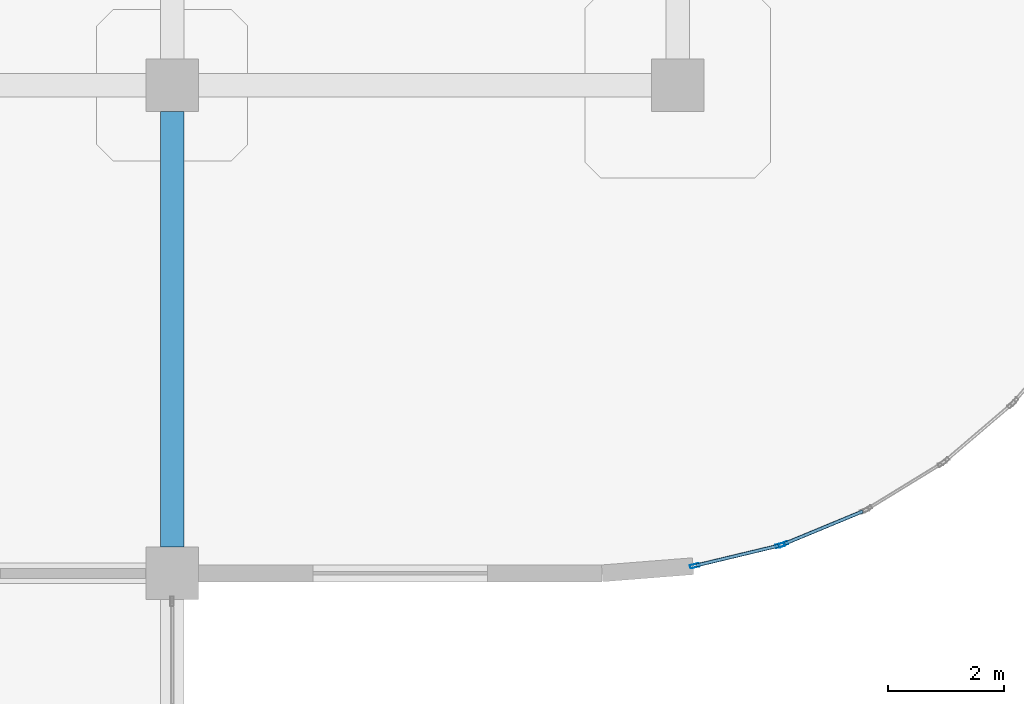
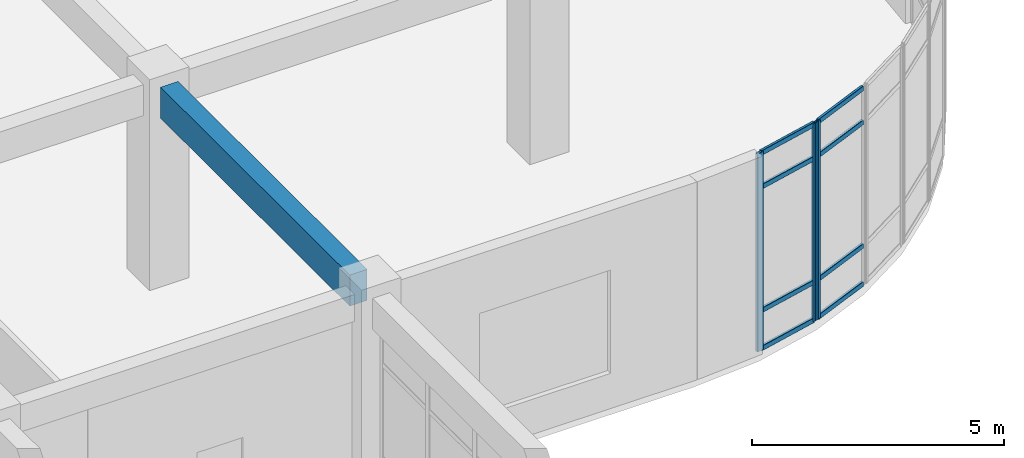
# One storey, part 76 of 120: 11 members, 1 beam, 2 elements without a shape of their own.
"""IFC4 building model written with IfcOpenShell, lengths in metres."""

from ifc_helpers import new_model, si_unit, derived_unit, direction, frame, origin, origin_2d, place, context, subcontext, project, spatial, rectangle, hollow_rectangle, extrude, material, layer, layer_set, material_profile, profile_set, type_object, element, aggregate, save


model = new_model("IFC4")

# Units and contexts
model_context = context("Model", 3, precision=1e-05, world=origin(), true_north=direction((0.0, 1.0)))
body_context = subcontext(model_context, "Body", "Model", "MODEL_VIEW")
ifc_project = project(units=[si_unit("LENGTHUNIT", "METRE"), si_unit("AREAUNIT", "SQUARE_METRE"), si_unit("VOLUMEUNIT", "CUBIC_METRE"), si_unit("PLANEANGLEUNIT", "RADIAN"), si_unit("MASSUNIT", "GRAM", prefix="KILO"), derived_unit("THERMALTRANSMITTANCEUNIT", [(si_unit("MASSUNIT", "GRAM", prefix="KILO"), 1), (si_unit("TIMEUNIT", "SECOND"), -3), (si_unit("THERMODYNAMICTEMPERATUREUNIT", "KELVIN"), -1)])], contexts=[model_context])

# Site, building, storey
site_placement = place(None, origin())
site = spatial("IfcSite", under=ifc_project, at=site_placement, CompositionType="ELEMENT")
building_placement = place(site_placement, origin())
building = spatial("IfcBuilding", under=site, at=building_placement, Name="Qinzheling Arcade Emporium", CompositionType="ELEMENT")
storey_placement = place(building_placement, frame((0.0, 0.0, 11.39990234375)))
storey = spatial("IfcBuildingStorey", under=building, at=storey_placement, Name="L03", CompositionType="ELEMENT", Elevation=11.39990234375)

# Curtain wall, member
ifc_material_1 = material(Name="Anodised aluminium and solar-control double glazing", Category="aluminium")
ifc_layer = layer(ifc_material_1, 0.159912109375, Name="Anodised aluminium and solar-control double glazing", Category="aluminium")
ifc_layer_set = layer_set([ifc_layer], Name="Anodised aluminium and solar-control double glazing")
curtain_wall_type = type_object("IfcCurtainWallType", Name="Curved Ribbon Sales Curtain Wall", PredefinedType="NOTDEFINED", material=ifc_layer_set)
curtain_wall_1_placement = place(storey_placement, origin())
curtain_wall_1 = element("IfcCurtainWall", 1, at=curtain_wall_1_placement, inside=storey, type_object=curtain_wall_type, Name="Curtain Wall CW-L03-198", PredefinedType="NOTDEFINED")
ifc_material_2 = material(Name="Anodised aluminium 6063-T6", Category="aluminium")
ifc_material_profile_1 = material_profile(ifc_material_2, hollow_rectangle(XDim=0.06005859375, YDim=0.159912109375, WallThickness=0.00390625, InnerFilletRadius=0.00390625, OuterFilletRadius=0.008056640625, at=origin_2d()), Name="RHS 160x60x4", Category="aluminium")
ifc_profile_set_1 = profile_set([ifc_material_profile_1], Name="Anodised aluminium 6063-T6")
member_type_1 = type_object("IfcMemberType", Name="Curtain Wall Mullion RHS160x60", PredefinedType="MULLION", material=ifc_profile_set_1)
member_1_placement = place(storey_placement, frame((141.017822265625, 74.300537109375, 0.0), z_axis=(0.0, 0.0, 1.0), x_axis=(0.382895684967, -0.923791586038, 0.0)))
member_1 = element("IfcMember", 2, at=member_1_placement, type_object=member_type_1, Name="CW02 mullion 2", PredefinedType="MULLION", context=body_context, shape_type="SweptSolid", body=[
    extrude(hollow_rectangle(XDim=0.06005859375, YDim=0.159912109375, WallThickness=0.00390625, InnerFilletRadius=0.00390625, OuterFilletRadius=0.008056640625, at=origin_2d()), origin(), (0.0, 0.0, 1.0), 4.7900390625),
])

# Curtain wall, members
curtain_wall_2_placement = place(storey_placement, origin())
curtain_wall_2 = element("IfcCurtainWall", 3, at=curtain_wall_2_placement, inside=storey, type_object=curtain_wall_type, Name="Curtain Wall CW-L03-199", PredefinedType="NOTDEFINED")
member_2_placement = place(storey_placement, frame((140.9609375, 74.281982421875, 0.0), z_axis=(0.0, 0.0, 1.0), x_axis=(0.233228342659, -0.972421996964, 0.0)))
member_2 = element("IfcMember", 4, at=member_2_placement, type_object=member_type_1, Name="CW02 mullion 1", PredefinedType="MULLION", context=body_context, shape_type="SweptSolid", body=[
    extrude(hollow_rectangle(XDim=0.06005859375, YDim=0.159912109375, WallThickness=0.00390625, InnerFilletRadius=0.00390625, OuterFilletRadius=0.008056640625, at=origin_2d()), origin(), (0.0, 0.0, 1.0), 4.7900390625),
])
member_3_placement = place(storey_placement, frame((139.4931640625, 73.929931640625, 0.0), z_axis=(0.0, 0.0, 1.0), x_axis=(0.233228342659, -0.972421996964, 0.0)))
member_3 = element("IfcMember", 5, at=member_3_placement, type_object=member_type_1, Name="CW02 mullion 2", PredefinedType="MULLION", context=body_context, shape_type="SweptSolid", body=[
    extrude(hollow_rectangle(XDim=0.06005859375, YDim=0.159912109375, WallThickness=0.00390625, InnerFilletRadius=0.00390625, OuterFilletRadius=0.008056640625, at=origin_2d()), origin(), (0.0, 0.0, 1.0), 4.7900390625),
])

# Member
ifc_material_profile_2 = material_profile(ifc_material_2, hollow_rectangle(XDim=0.06005859375, YDim=0.1201171875, WallThickness=0.00390625, InnerFilletRadius=0.00390625, OuterFilletRadius=0.008056640625, at=origin_2d()), Name="RHS 120x60x4", Category="aluminium")
ifc_profile_set_2 = profile_set([ifc_material_profile_2], Name="Anodised aluminium 6063-T6")
member_type_2 = type_object("IfcMemberType", Name="Curtain Wall Transom RHS120x60", PredefinedType="USERDEFINED", material=ifc_profile_set_2)
member_4_placement = place(storey_placement, frame((142.384521484375, 74.866943359375, 0.030029296875), z_axis=(-0.923817673636, -0.382832738774, 0.0), x_axis=(0.382832738774, -0.923817673636, 0.0)))
member_4 = element("IfcMember", 6, at=member_4_placement, type_object=member_type_2, Name="CW02 transom 1.1", ObjectType="TRANSOM", PredefinedType="USERDEFINED", context=body_context, shape_type="SweptSolid", body=[
    extrude(hollow_rectangle(XDim=0.06005859375, YDim=0.1201171875, WallThickness=0.00390625, InnerFilletRadius=0.00390625, OuterFilletRadius=0.008056640625, at=origin_2d()), origin(), (0.0, 0.0, 1.0), 1.449462890625),
])

member_5_placement = place(storey_placement, frame((142.384521484375, 74.866943359375, 0.9501953125), z_axis=(-0.923817673636, -0.382832738774, 0.0), x_axis=(0.382832738774, -0.923817673636, 0.0)))
member_5 = element("IfcMember", 7, at=member_5_placement, type_object=member_type_2, Name="CW02 transom 1.2", ObjectType="TRANSOM", PredefinedType="USERDEFINED", context=body_context, shape_type="SweptSolid", body=[
    extrude(hollow_rectangle(XDim=0.06005859375, YDim=0.1201171875, WallThickness=0.00390625, InnerFilletRadius=0.00390625, OuterFilletRadius=0.008056640625, at=origin_2d()), origin(), (0.0, 0.0, 1.0), 1.449462890625),
])

member_6_placement = place(storey_placement, frame((142.384521484375, 74.866943359375, 3.940185546875), z_axis=(-0.923817673636, -0.382832738774, 0.0), x_axis=(0.382832738774, -0.923817673636, 0.0)))
member_6 = element("IfcMember", 8, at=member_6_placement, type_object=member_type_2, Name="CW02 transom 1.3", ObjectType="TRANSOM", PredefinedType="USERDEFINED", context=body_context, shape_type="SweptSolid", body=[
    extrude(hollow_rectangle(XDim=0.06005859375, YDim=0.1201171875, WallThickness=0.00390625, InnerFilletRadius=0.00390625, OuterFilletRadius=0.008056640625, at=origin_2d()), origin(), (0.0, 0.0, 1.0), 1.449462890625),
])

member_7_placement = place(storey_placement, frame((142.384521484375, 74.866943359375, 4.760009765625), z_axis=(-0.923817673636, -0.382832738774, 0.0), x_axis=(0.382832738774, -0.923817673636, 0.0)))
member_7 = element("IfcMember", 9, at=member_7_placement, type_object=member_type_2, Name="CW02 transom 1.4", ObjectType="TRANSOM", PredefinedType="USERDEFINED", context=body_context, shape_type="SweptSolid", body=[
    extrude(hollow_rectangle(XDim=0.06005859375, YDim=0.1201171875, WallThickness=0.00390625, InnerFilletRadius=0.00390625, OuterFilletRadius=0.008056640625, at=origin_2d()), origin(), (0.0, 0.0, 1.0), 1.449462890625),
])

aggregate(curtain_wall_1, [member_1, member_4, member_5, member_6, member_7])

member_8_placement = place(storey_placement, frame((140.931640625, 74.27490234375, 0.030029296875), z_axis=(-0.97243621729, -0.233169044478, 0.0), x_axis=(0.233169044478, -0.97243621729, 0.0)))
member_8 = element("IfcMember", 10, at=member_8_placement, type_object=member_type_2, Name="CW02 transom 1.1", ObjectType="TRANSOM", PredefinedType="USERDEFINED", context=body_context, shape_type="SweptSolid", body=[
    extrude(hollow_rectangle(XDim=0.06005859375, YDim=0.1201171875, WallThickness=0.00390625, InnerFilletRadius=0.00390625, OuterFilletRadius=0.008056640625, at=origin_2d()), origin(), (0.0, 0.0, 1.0), 1.44921875),
])

member_9_placement = place(storey_placement, frame((140.931640625, 74.27490234375, 0.9501953125), z_axis=(-0.97243621729, -0.233169044478, 0.0), x_axis=(0.233169044478, -0.97243621729, 0.0)))
member_9 = element("IfcMember", 11, at=member_9_placement, type_object=member_type_2, Name="CW02 transom 1.2", ObjectType="TRANSOM", PredefinedType="USERDEFINED", context=body_context, shape_type="SweptSolid", body=[
    extrude(hollow_rectangle(XDim=0.06005859375, YDim=0.1201171875, WallThickness=0.00390625, InnerFilletRadius=0.00390625, OuterFilletRadius=0.008056640625, at=origin_2d()), origin(), (0.0, 0.0, 1.0), 1.44921875),
])

member_10_placement = place(storey_placement, frame((140.931640625, 74.27490234375, 3.940185546875), z_axis=(-0.97243621729, -0.233169044478, 0.0), x_axis=(0.233169044478, -0.97243621729, 0.0)))
member_10 = element("IfcMember", 12, at=member_10_placement, type_object=member_type_2, Name="CW02 transom 1.3", ObjectType="TRANSOM", PredefinedType="USERDEFINED", context=body_context, shape_type="SweptSolid", body=[
    extrude(hollow_rectangle(XDim=0.06005859375, YDim=0.1201171875, WallThickness=0.00390625, InnerFilletRadius=0.00390625, OuterFilletRadius=0.008056640625, at=origin_2d()), origin(), (0.0, 0.0, 1.0), 1.44921875),
])

member_11_placement = place(storey_placement, frame((140.931640625, 74.27490234375, 4.760009765625), z_axis=(-0.97243621729, -0.233169044478, 0.0), x_axis=(0.233169044478, -0.97243621729, 0.0)))
member_11 = element("IfcMember", 13, at=member_11_placement, type_object=member_type_2, Name="CW02 transom 1.4", ObjectType="TRANSOM", PredefinedType="USERDEFINED", context=body_context, shape_type="SweptSolid", body=[
    extrude(hollow_rectangle(XDim=0.06005859375, YDim=0.1201171875, WallThickness=0.00390625, InnerFilletRadius=0.00390625, OuterFilletRadius=0.008056640625, at=origin_2d()), origin(), (0.0, 0.0, 1.0), 1.44921875),
])

aggregate(curtain_wall_2, [member_2, member_3, member_8, member_9, member_10, member_11])

# Beam
ifc_material_3 = material(Name="Concrete C40", Category="concrete")
ifc_material_profile_3 = material_profile(ifc_material_3, rectangle(XDim=0.39990234375, YDim=0.75, at=origin_2d()), Name="RC 400x750", Category="concrete")
ifc_profile_set_3 = profile_set([ifc_material_profile_3], Name="Concrete C40")
beam_type = type_object("IfcBeamType", Name="RC Interior Tie Beam 400x750 C40", PredefinedType="BEAM", material=ifc_profile_set_3)
beam_placement = place(storey_placement, frame((130.5, 74.25, 4.460205078125), z_axis=(0.0, 1.0, 0.0), x_axis=(-1.0, 0.0, 0.0)))
element("IfcBeam", 14, at=beam_placement, inside=storey, type_object=beam_type, Name="Beam BM-L03-Y-16-J", PredefinedType="BEAM", context=body_context, shape_type="SweptSolid", body=[
    extrude(rectangle(XDim=0.39990234375, YDim=0.75, at=origin_2d()), origin(), (0.0, 0.0, 1.0), 7.5),
])

save(model, "model.ifc")
